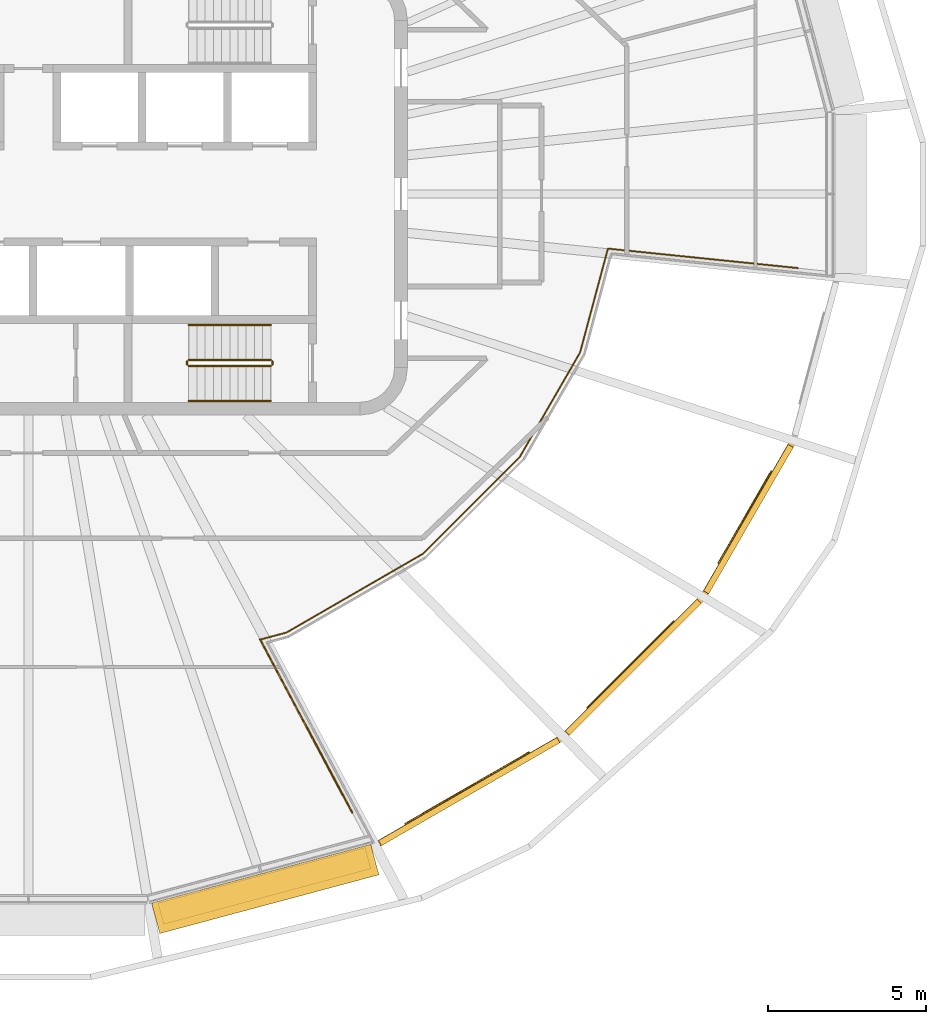
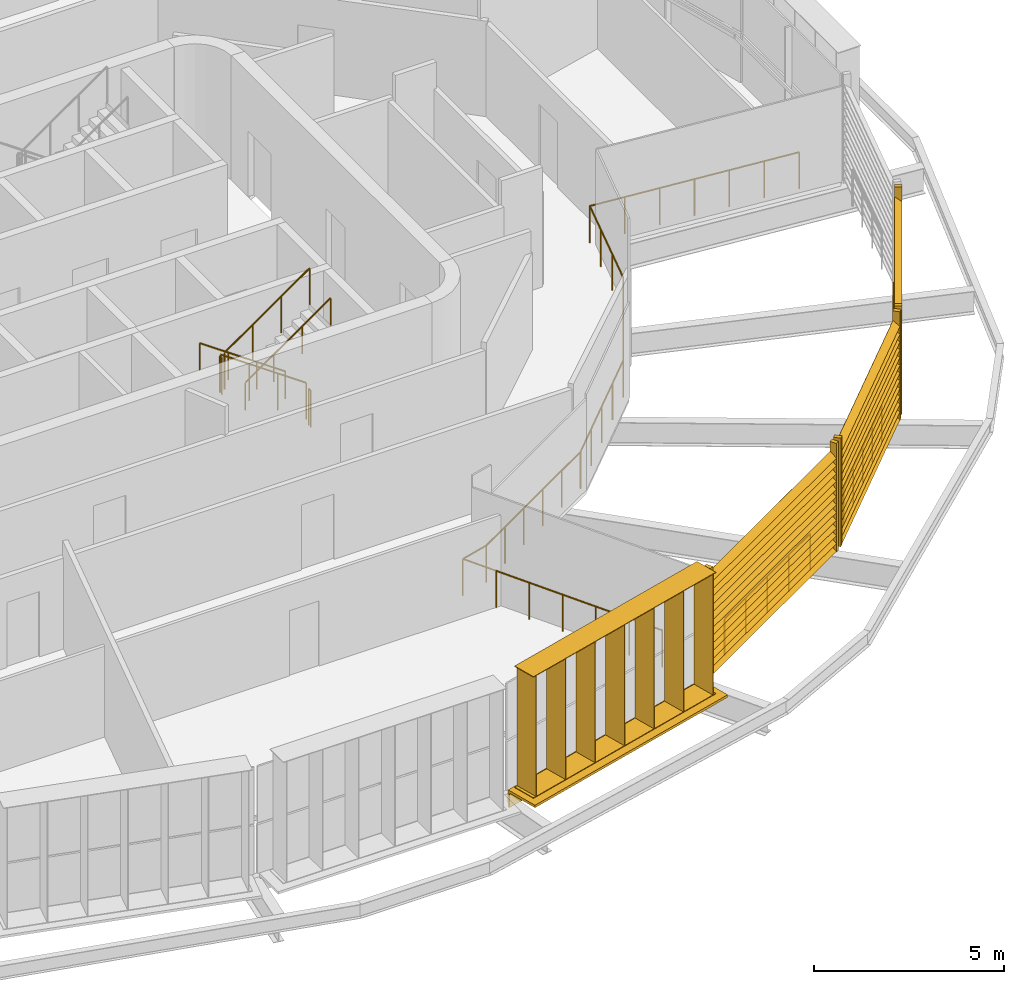
# One storey, part 16 of 18: 11 railings, 5 shading devices.
"""IFC4 building model written with IfcOpenShell, lengths in metres."""

from ifc_helpers import new_model, si_unit, direction, frame, origin, origin_2d, place, context, subcontext, project, spatial, rectangle, circle, extrude, material, type_object, element, save


model = new_model("IFC4")

# Units and contexts
model_context = context("Model", 3, precision=1e-05, world=origin(), true_north=direction((0.0, 1.0)))
body_context = subcontext(model_context, "Body", "Model", "MODEL_VIEW")
ifc_project = project(units=[si_unit("LENGTHUNIT", "METRE"), si_unit("AREAUNIT", "SQUARE_METRE"), si_unit("VOLUMEUNIT", "CUBIC_METRE"), si_unit("PLANEANGLEUNIT", "RADIAN"), si_unit("MASSUNIT", "GRAM", prefix="KILO")], contexts=[model_context])

# Site, building, storey
site_placement = place(None, origin())
site = spatial("IfcSite", under=ifc_project, at=site_placement, CompositionType="ELEMENT")
building_placement = place(site_placement, origin())
building = spatial("IfcBuilding", under=site, at=building_placement, Name="Sahrelin Media Tower", CompositionType="ELEMENT")
storey_placement = place(building_placement, frame((0.0, 0.0, 312.39990234375)))
storey = spatial("IfcBuildingStorey", under=building, at=storey_placement, Name="L69", CompositionType="ELEMENT", Elevation=312.39990234375)

# Shading devices
ifc_material_1 = material(Name="Champagne anodised aluminium 6063-T6", Category="aluminium")
shading_device_type_1 = type_object("IfcShadingDeviceType", Name="Fin cassette", PredefinedType="USERDEFINED", material=ifc_material_1)
placement = place(storey_placement, frame((7.364990234375, -21.506103515625, 0.0), z_axis=(0.0, 0.0, 1.0), x_axis=(-0.965928857556, -0.258807731996, 0.0)))
element("IfcShadingDevice", 1, at=placement, inside=storey, type_object=shading_device_type_1, Name="L69:FIN:L69-19", ObjectType="FIN", PredefinedType="USERDEFINED", context=body_context, shape_type="SweptSolid", body=[
    extrude(rectangle(XDim=6.800048828125, YDim=0.699951171875, at=origin_2d()), frame((0.0, 0.419921875, 0.0)), (0.0, 0.0, 1.0), 0.02001953125),
    extrude(rectangle(XDim=6.800048828125, YDim=0.699951171875, at=origin_2d()), frame((0.0, 0.419921875, 3.89990234375)), (0.0, 0.0, 1.0), 0.02001953125),
    extrude(rectangle(XDim=0.02001953125, YDim=0.699951171875, at=origin_2d()), frame((-3.300048828125, 0.419921875, 0.010009765625), z_axis=(0.0, 0.0, 1.0), x_axis=(1.0, 0.0, 0.0)), (0.0, 0.0, 1.0), 3.89990234375),
    extrude(rectangle(XDim=0.02001953125, YDim=0.699951171875, at=origin_2d()), frame((-2.199951171875, 0.419921875, 0.010009765625), z_axis=(0.0, 0.0, 1.0), x_axis=(1.0, 0.0, 0.0)), (0.0, 0.0, 1.0), 3.89990234375),
    extrude(rectangle(XDim=0.02001953125, YDim=0.699951171875, at=origin_2d()), frame((-1.10009765625, 0.419921875, 0.010009765625), z_axis=(0.0, 0.0, 1.0), x_axis=(1.0, 0.0, 0.0)), (0.0, 0.0, 1.0), 3.89990234375),
    extrude(rectangle(XDim=0.02001953125, YDim=0.699951171875, at=origin_2d()), frame((0.0, 0.419921875, 0.010009765625), z_axis=(0.0, 0.0, 1.0), x_axis=(1.0, 0.0, 0.0)), (0.0, 0.0, 1.0), 3.89990234375),
    extrude(rectangle(XDim=0.02001953125, YDim=0.699951171875, at=origin_2d()), frame((1.10009765625, 0.419921875, 0.010009765625), z_axis=(0.0, 0.0, 1.0), x_axis=(1.0, 0.0, 0.0)), (0.0, 0.0, 1.0), 3.89990234375),
    extrude(rectangle(XDim=0.02001953125, YDim=0.699951171875, at=origin_2d()), frame((2.199951171875, 0.419921875, 0.010009765625), z_axis=(0.0, 0.0, 1.0), x_axis=(1.0, 0.0, 0.0)), (0.0, 0.0, 1.0), 3.89990234375),
    extrude(rectangle(XDim=0.02001953125, YDim=0.699951171875, at=origin_2d()), frame((3.300048828125, 0.419921875, 0.010009765625), z_axis=(0.0, 0.0, 1.0), x_axis=(1.0, 0.0, 0.0)), (0.0, 0.0, 1.0), 3.89990234375),
])
shading_device_type_2 = type_object("IfcShadingDeviceType", Name="Garden screen", PredefinedType="USERDEFINED", material=ifc_material_1)
shading_device_2_placement = place(storey_placement, frame((13.904296875, -18.834716796875, 0.0), z_axis=(0.0, 0.0, 1.0), x_axis=(-0.866019052629, -0.500011000363, 0.0)))
element("IfcShadingDevice", 2, at=shading_device_2_placement, inside=storey, type_object=shading_device_type_2, Name="L69:SCREEN:L69-20", ObjectType="SCREEN", PredefinedType="USERDEFINED", context=body_context, shape_type="SweptSolid", body=[
    extrude(rectangle(XDim=0.1201171875, YDim=0.199951171875, at=origin_2d()), frame((3.3212890625, 0.10009765625, 0.050048828125), z_axis=(0.0, 0.0, 1.0), x_axis=(1.0, 0.0, 0.0)), (0.0, 0.0, 1.0), 3.49853515625),
    extrude(rectangle(XDim=0.1201171875, YDim=0.199951171875, at=origin_2d()), frame((-3.3212890625, 0.10009765625, 0.050048828125), z_axis=(0.0, 0.0, 1.0), x_axis=(1.0, 0.0, 0.0)), (0.0, 0.0, 1.0), 3.49853515625),
    extrude(rectangle(XDim=0.25, YDim=0.02001953125, at=origin_2d()), frame((3.26123046875, 0.10009765625, 0.14990234375), z_axis=(-1.0, 0.0, 0.0), x_axis=(0.0, -0.766044443119, 0.642787609687)), (0.0, 0.0, 1.0), 6.5224609375),
    extrude(rectangle(XDim=0.25, YDim=0.02001953125, at=origin_2d()), frame((3.26123046875, 0.10009765625, 0.39990234375), z_axis=(-1.0, 0.0, 0.0), x_axis=(0.0, -0.766044443119, 0.642787609687)), (0.0, 0.0, 1.0), 6.5224609375),
    extrude(rectangle(XDim=0.25, YDim=0.02001953125, at=origin_2d()), frame((3.26123046875, 0.10009765625, 0.64990234375), z_axis=(-1.0, 0.0, 0.0), x_axis=(0.0, -0.766044443119, 0.642787609687)), (0.0, 0.0, 1.0), 6.5224609375),
    extrude(rectangle(XDim=0.25, YDim=0.02001953125, at=origin_2d()), frame((3.26123046875, 0.10009765625, 0.89990234375), z_axis=(-1.0, 0.0, 0.0), x_axis=(0.0, -0.766044443119, 0.642787609687)), (0.0, 0.0, 1.0), 6.5224609375),
    extrude(rectangle(XDim=0.25, YDim=0.02001953125, at=origin_2d()), frame((3.26123046875, 0.10009765625, 1.14990234375), z_axis=(-1.0, 0.0, 0.0), x_axis=(0.0, -0.766044443119, 0.642787609687)), (0.0, 0.0, 1.0), 6.5224609375),
    extrude(rectangle(XDim=0.25, YDim=0.02001953125, at=origin_2d()), frame((3.26123046875, 0.10009765625, 1.39990234375), z_axis=(-1.0, 0.0, 0.0), x_axis=(0.0, -0.766044443119, 0.642787609687)), (0.0, 0.0, 1.0), 6.5224609375),
    extrude(rectangle(XDim=0.25, YDim=0.02001953125, at=origin_2d()), frame((3.26123046875, 0.10009765625, 1.64990234375), z_axis=(-1.0, 0.0, 0.0), x_axis=(0.0, -0.766044443119, 0.642787609687)), (0.0, 0.0, 1.0), 6.5224609375),
    extrude(rectangle(XDim=0.25, YDim=0.02001953125, at=origin_2d()), frame((3.26123046875, 0.10009765625, 1.89990234375), z_axis=(-1.0, 0.0, 0.0), x_axis=(0.0, -0.766044443119, 0.642787609687)), (0.0, 0.0, 1.0), 6.5224609375),
    extrude(rectangle(XDim=0.25, YDim=0.02001953125, at=origin_2d()), frame((3.26123046875, 0.10009765625, 2.14990234375), z_axis=(-1.0, 0.0, 0.0), x_axis=(0.0, -0.766044443119, 0.642787609687)), (0.0, 0.0, 1.0), 6.5224609375),
    extrude(rectangle(XDim=0.25, YDim=0.02001953125, at=origin_2d()), frame((3.26123046875, 0.10009765625, 2.39990234375), z_axis=(-1.0, 0.0, 0.0), x_axis=(0.0, -0.766044443119, 0.642787609687)), (0.0, 0.0, 1.0), 6.5224609375),
    extrude(rectangle(XDim=0.25, YDim=0.02001953125, at=origin_2d()), frame((3.26123046875, 0.10009765625, 2.64990234375), z_axis=(-1.0, 0.0, 0.0), x_axis=(0.0, -0.766044443119, 0.642787609687)), (0.0, 0.0, 1.0), 6.5224609375),
    extrude(rectangle(XDim=0.25, YDim=0.02001953125, at=origin_2d()), frame((3.26123046875, 0.10009765625, 2.89990234375), z_axis=(-1.0, 0.0, 0.0), x_axis=(0.0, -0.766044443119, 0.642787609687)), (0.0, 0.0, 1.0), 6.5224609375),
    extrude(rectangle(XDim=0.25, YDim=0.02001953125, at=origin_2d()), frame((3.26123046875, 0.10009765625, 3.14990234375), z_axis=(-1.0, 0.0, 0.0), x_axis=(0.0, -0.766044443119, 0.642787609687)), (0.0, 0.0, 1.0), 6.5224609375),
])
shading_device_3_placement = place(storey_placement, frame((19.08056640625, -14.914306640625, 0.0), z_axis=(0.0, 0.0, 1.0), x_axis=(-0.707106781187, -0.707106781187, 0.0)))
element("IfcShadingDevice", 3, at=shading_device_3_placement, inside=storey, type_object=shading_device_type_2, Name="L69:SCREEN:L69-21", ObjectType="SCREEN", PredefinedType="USERDEFINED", context=body_context, shape_type="SweptSolid", body=[
    extrude(rectangle(XDim=0.1201171875, YDim=0.199951171875, at=origin_2d()), frame((3.008056640625, 0.10009765625, 0.050048828125), z_axis=(0.0, 0.0, 1.0), x_axis=(1.0, 0.0, 0.0)), (0.0, 0.0, 1.0), 3.49853515625),
    extrude(rectangle(XDim=0.1201171875, YDim=0.199951171875, at=origin_2d()), frame((-3.008056640625, 0.10009765625, 0.050048828125), z_axis=(0.0, 0.0, 1.0), x_axis=(1.0, 0.0, 0.0)), (0.0, 0.0, 1.0), 3.49853515625),
    extrude(rectangle(XDim=0.25, YDim=0.02001953125, at=origin_2d()), frame((2.947998046875, 0.10009765625, 0.14990234375), z_axis=(-1.0, 0.0, 0.0), x_axis=(0.0, -0.766044443119, 0.642787609687)), (0.0, 0.0, 1.0), 5.89599609375),
    extrude(rectangle(XDim=0.25, YDim=0.02001953125, at=origin_2d()), frame((2.947998046875, 0.10009765625, 0.39990234375), z_axis=(-1.0, 0.0, 0.0), x_axis=(0.0, -0.766044443119, 0.642787609687)), (0.0, 0.0, 1.0), 5.89599609375),
    extrude(rectangle(XDim=0.25, YDim=0.02001953125, at=origin_2d()), frame((2.947998046875, 0.10009765625, 0.64990234375), z_axis=(-1.0, 0.0, 0.0), x_axis=(0.0, -0.766044443119, 0.642787609687)), (0.0, 0.0, 1.0), 5.89599609375),
    extrude(rectangle(XDim=0.25, YDim=0.02001953125, at=origin_2d()), frame((2.947998046875, 0.10009765625, 0.89990234375), z_axis=(-1.0, 0.0, 0.0), x_axis=(0.0, -0.766044443119, 0.642787609687)), (0.0, 0.0, 1.0), 5.89599609375),
    extrude(rectangle(XDim=0.25, YDim=0.02001953125, at=origin_2d()), frame((2.947998046875, 0.10009765625, 1.14990234375), z_axis=(-1.0, 0.0, 0.0), x_axis=(0.0, -0.766044443119, 0.642787609687)), (0.0, 0.0, 1.0), 5.89599609375),
    extrude(rectangle(XDim=0.25, YDim=0.02001953125, at=origin_2d()), frame((2.947998046875, 0.10009765625, 1.39990234375), z_axis=(-1.0, 0.0, 0.0), x_axis=(0.0, -0.766044443119, 0.642787609687)), (0.0, 0.0, 1.0), 5.89599609375),
    extrude(rectangle(XDim=0.25, YDim=0.02001953125, at=origin_2d()), frame((2.947998046875, 0.10009765625, 1.64990234375), z_axis=(-1.0, 0.0, 0.0), x_axis=(0.0, -0.766044443119, 0.642787609687)), (0.0, 0.0, 1.0), 5.89599609375),
    extrude(rectangle(XDim=0.25, YDim=0.02001953125, at=origin_2d()), frame((2.947998046875, 0.10009765625, 1.89990234375), z_axis=(-1.0, 0.0, 0.0), x_axis=(0.0, -0.766044443119, 0.642787609687)), (0.0, 0.0, 1.0), 5.89599609375),
    extrude(rectangle(XDim=0.25, YDim=0.02001953125, at=origin_2d()), frame((2.947998046875, 0.10009765625, 2.14990234375), z_axis=(-1.0, 0.0, 0.0), x_axis=(0.0, -0.766044443119, 0.642787609687)), (0.0, 0.0, 1.0), 5.89599609375),
    extrude(rectangle(XDim=0.25, YDim=0.02001953125, at=origin_2d()), frame((2.947998046875, 0.10009765625, 2.39990234375), z_axis=(-1.0, 0.0, 0.0), x_axis=(0.0, -0.766044443119, 0.642787609687)), (0.0, 0.0, 1.0), 5.89599609375),
    extrude(rectangle(XDim=0.25, YDim=0.02001953125, at=origin_2d()), frame((2.947998046875, 0.10009765625, 2.64990234375), z_axis=(-1.0, 0.0, 0.0), x_axis=(0.0, -0.766044443119, 0.642787609687)), (0.0, 0.0, 1.0), 5.89599609375),
    extrude(rectangle(XDim=0.25, YDim=0.02001953125, at=origin_2d()), frame((2.947998046875, 0.10009765625, 2.89990234375), z_axis=(-1.0, 0.0, 0.0), x_axis=(0.0, -0.766044443119, 0.642787609687)), (0.0, 0.0, 1.0), 5.89599609375),
    extrude(rectangle(XDim=0.25, YDim=0.02001953125, at=origin_2d()), frame((2.947998046875, 0.10009765625, 3.14990234375), z_axis=(-1.0, 0.0, 0.0), x_axis=(0.0, -0.766044443119, 0.642787609687)), (0.0, 0.0, 1.0), 5.89599609375),
])
shading_device_4_placement = place(storey_placement, frame((22.709228515625, -10.2431640625, 0.0), z_axis=(0.0, 0.0, 1.0), x_axis=(-0.500011000363, -0.866019052629, 0.0)))
element("IfcShadingDevice", 4, at=shading_device_4_placement, inside=storey, type_object=shading_device_type_2, Name="L69:SCREEN:L69-22", ObjectType="SCREEN", PredefinedType="USERDEFINED", context=body_context, shape_type="SweptSolid", body=[
    extrude(rectangle(XDim=0.1201171875, YDim=0.199951171875, at=origin_2d()), frame((2.73779296875, 0.10009765625, 0.050048828125), z_axis=(0.0, 0.0, 1.0), x_axis=(1.0, 0.0, 0.0)), (0.0, 0.0, 1.0), 3.49853515625),
    extrude(rectangle(XDim=0.1201171875, YDim=0.199951171875, at=origin_2d()), frame((-2.73779296875, 0.10009765625, 0.050048828125), z_axis=(0.0, 0.0, 1.0), x_axis=(1.0, 0.0, 0.0)), (0.0, 0.0, 1.0), 3.49853515625),
    extrude(rectangle(XDim=0.25, YDim=0.02001953125, at=origin_2d()), frame((2.677734375, 0.10009765625, 0.14990234375), z_axis=(-1.0, 0.0, 0.0), x_axis=(0.0, -0.766044443119, 0.642787609687)), (0.0, 0.0, 1.0), 5.35546875),
    extrude(rectangle(XDim=0.25, YDim=0.02001953125, at=origin_2d()), frame((2.677734375, 0.10009765625, 0.39990234375), z_axis=(-1.0, 0.0, 0.0), x_axis=(0.0, -0.766044443119, 0.642787609687)), (0.0, 0.0, 1.0), 5.35546875),
    extrude(rectangle(XDim=0.25, YDim=0.02001953125, at=origin_2d()), frame((2.677734375, 0.10009765625, 0.64990234375), z_axis=(-1.0, 0.0, 0.0), x_axis=(0.0, -0.766044443119, 0.642787609687)), (0.0, 0.0, 1.0), 5.35546875),
    extrude(rectangle(XDim=0.25, YDim=0.02001953125, at=origin_2d()), frame((2.677734375, 0.10009765625, 0.89990234375), z_axis=(-1.0, 0.0, 0.0), x_axis=(0.0, -0.766044443119, 0.642787609687)), (0.0, 0.0, 1.0), 5.35546875),
    extrude(rectangle(XDim=0.25, YDim=0.02001953125, at=origin_2d()), frame((2.677734375, 0.10009765625, 1.14990234375), z_axis=(-1.0, 0.0, 0.0), x_axis=(0.0, -0.766044443119, 0.642787609687)), (0.0, 0.0, 1.0), 5.35546875),
    extrude(rectangle(XDim=0.25, YDim=0.02001953125, at=origin_2d()), frame((2.677734375, 0.10009765625, 1.39990234375), z_axis=(-1.0, 0.0, 0.0), x_axis=(0.0, -0.766044443119, 0.642787609687)), (0.0, 0.0, 1.0), 5.35546875),
    extrude(rectangle(XDim=0.25, YDim=0.02001953125, at=origin_2d()), frame((2.677734375, 0.10009765625, 1.64990234375), z_axis=(-1.0, 0.0, 0.0), x_axis=(0.0, -0.766044443119, 0.642787609687)), (0.0, 0.0, 1.0), 5.35546875),
    extrude(rectangle(XDim=0.25, YDim=0.02001953125, at=origin_2d()), frame((2.677734375, 0.10009765625, 1.89990234375), z_axis=(-1.0, 0.0, 0.0), x_axis=(0.0, -0.766044443119, 0.642787609687)), (0.0, 0.0, 1.0), 5.35546875),
    extrude(rectangle(XDim=0.25, YDim=0.02001953125, at=origin_2d()), frame((2.677734375, 0.10009765625, 2.14990234375), z_axis=(-1.0, 0.0, 0.0), x_axis=(0.0, -0.766044443119, 0.642787609687)), (0.0, 0.0, 1.0), 5.35546875),
    extrude(rectangle(XDim=0.25, YDim=0.02001953125, at=origin_2d()), frame((2.677734375, 0.10009765625, 2.39990234375), z_axis=(-1.0, 0.0, 0.0), x_axis=(0.0, -0.766044443119, 0.642787609687)), (0.0, 0.0, 1.0), 5.35546875),
    extrude(rectangle(XDim=0.25, YDim=0.02001953125, at=origin_2d()), frame((2.677734375, 0.10009765625, 2.64990234375), z_axis=(-1.0, 0.0, 0.0), x_axis=(0.0, -0.766044443119, 0.642787609687)), (0.0, 0.0, 1.0), 5.35546875),
    extrude(rectangle(XDim=0.25, YDim=0.02001953125, at=origin_2d()), frame((2.677734375, 0.10009765625, 2.89990234375), z_axis=(-1.0, 0.0, 0.0), x_axis=(0.0, -0.766044443119, 0.642787609687)), (0.0, 0.0, 1.0), 5.35546875),
    extrude(rectangle(XDim=0.25, YDim=0.02001953125, at=origin_2d()), frame((2.677734375, 0.10009765625, 3.14990234375), z_axis=(-1.0, 0.0, 0.0), x_axis=(0.0, -0.766044443119, 0.642787609687)), (0.0, 0.0, 1.0), 5.35546875),
])

# Railings
ifc_material_2 = material(Name="Stainless steel 316", Category="steel")
railing_type_1 = type_object("IfcRailingType", Name="Sky garden guard", PredefinedType="GUARDRAIL", material=ifc_material_2)
railing_1_placement = place(storey_placement, frame((7.33740234375, -14.111328125, 0.0)))
element("IfcRailing", 5, at=railing_1_placement, inside=storey, type_object=railing_type_1, Name="Sky garden void guard G6-1", PredefinedType="GUARDRAIL", context=body_context, shape_type="SweptSolid", body=[
    extrude(circle(Radius=0.02392578125, at=origin_2d()), frame((0.0, 0.0, 1.17578125), z_axis=(0.965939235103, 0.258768997543, 0.0), x_axis=(-0.258768997543, 0.965939235103, 0.0)), (0.0, 0.0, 1.0), 0.865234375),
    extrude(circle(Radius=0.02392578125, at=origin_2d()), frame((0.835693359375, 0.223876953125, 1.17578125), z_axis=(0.866032094379, 0.499988411372, 0.0), x_axis=(-0.499988411372, 0.866032094379, 0.0)), (0.0, 0.0, 1.0), 4.9794921875),
    extrude(circle(Radius=0.02392578125, at=origin_2d()), frame((5.148193359375, 2.713623046875, 1.17578125), z_axis=(0.707106781187, 0.707106781187, 0.0), x_axis=(-0.707106781187, 0.707106781187, 0.0)), (0.0, 0.0, 1.0), 4.353515625),
    extrude(circle(Radius=0.02392578125, at=origin_2d()), frame((8.2265625, 5.7919921875, 1.17578125), z_axis=(0.499940464041, 0.866059774158, 0.0), x_axis=(-0.866059774158, 0.499940464041, 0.0)), (0.0, 0.0, 1.0), 3.81298828125),
    extrude(circle(Radius=0.02392578125, at=origin_2d()), frame((10.1328125, 9.09423828125, 1.17578125), z_axis=(0.258885440634, 0.965908033214, 0.0), x_axis=(-0.965908033214, 0.258885440634, 0.0)), (0.0, 0.0, 1.0), 3.404296875),
    extrude(circle(Radius=0.02392578125, at=origin_2d()), frame((11.01416015625, 12.382568359375, 1.17578125), z_axis=(0.99479665345, -0.10188041168, 0.0), x_axis=(0.10188041168, 0.99479665345, 0.0)), (0.0, 0.0, 1.0), 6.05078125),
    extrude(circle(Radius=0.02099609375, at=origin_2d()), origin(), (0.0, 0.0, 1.0), 1.15185546875),
    extrude(circle(Radius=0.02099609375, at=origin_2d()), frame((0.835693359375, 0.223876953125, 0.0)), (0.0, 0.0, 1.0), 1.15185546875),
    extrude(circle(Radius=0.02099609375, at=origin_2d()), frame((1.6982421875, 0.721923828125, 0.0)), (0.0, 0.0, 1.0), 1.15185546875),
    extrude(circle(Radius=0.02099609375, at=origin_2d()), frame((2.560791015625, 1.2197265625, 0.0)), (0.0, 0.0, 1.0), 1.15185546875),
    extrude(circle(Radius=0.02099609375, at=origin_2d()), frame((3.423095703125, 1.7177734375, 0.0)), (0.0, 0.0, 1.0), 1.15185546875),
    extrude(circle(Radius=0.02099609375, at=origin_2d()), frame((4.28564453125, 2.215576171875, 0.0)), (0.0, 0.0, 1.0), 1.15185546875),
    extrude(circle(Radius=0.02099609375, at=origin_2d()), frame((5.148193359375, 2.713623046875, 0.0)), (0.0, 0.0, 1.0), 1.15185546875),
    extrude(circle(Radius=0.02099609375, at=origin_2d()), frame((5.917724609375, 3.483154296875, 0.0)), (0.0, 0.0, 1.0), 1.15185546875),
    extrude(circle(Radius=0.02099609375, at=origin_2d()), frame((6.6875, 4.2529296875, 0.0)), (0.0, 0.0, 1.0), 1.15185546875),
    extrude(circle(Radius=0.02099609375, at=origin_2d()), frame((7.45703125, 5.0224609375, 0.0)), (0.0, 0.0, 1.0), 1.15185546875),
    extrude(circle(Radius=0.02099609375, at=origin_2d()), frame((8.2265625, 5.7919921875, 0.0)), (0.0, 0.0, 1.0), 1.15185546875),
    extrude(circle(Radius=0.02099609375, at=origin_2d()), frame((8.703125, 6.61767578125, 0.0)), (0.0, 0.0, 1.0), 1.15185546875),
    extrude(circle(Radius=0.02099609375, at=origin_2d()), frame((9.1796875, 7.443115234375, 0.0)), (0.0, 0.0, 1.0), 1.15185546875),
    extrude(circle(Radius=0.02099609375, at=origin_2d()), frame((9.65625, 8.2685546875, 0.0)), (0.0, 0.0, 1.0), 1.15185546875),
    extrude(circle(Radius=0.02099609375, at=origin_2d()), frame((10.1328125, 9.09423828125, 0.0)), (0.0, 0.0, 1.0), 1.15185546875),
    extrude(circle(Radius=0.02099609375, at=origin_2d()), frame((10.426513671875, 10.1904296875, 0.0)), (0.0, 0.0, 1.0), 1.15185546875),
    extrude(circle(Radius=0.02099609375, at=origin_2d()), frame((10.720458984375, 11.286376953125, 0.0)), (0.0, 0.0, 1.0), 1.15185546875),
    extrude(circle(Radius=0.02099609375, at=origin_2d()), frame((11.01416015625, 12.382568359375, 0.0)), (0.0, 0.0, 1.0), 1.15185546875),
    extrude(circle(Radius=0.02099609375, at=origin_2d()), frame((12.017333984375, 12.27978515625, 0.0)), (0.0, 0.0, 1.0), 1.15185546875),
    extrude(circle(Radius=0.02099609375, at=origin_2d()), frame((13.0205078125, 12.177001953125, 0.0)), (0.0, 0.0, 1.0), 1.15185546875),
    extrude(circle(Radius=0.02099609375, at=origin_2d()), frame((14.02392578125, 12.07421875, 0.0)), (0.0, 0.0, 1.0), 1.15185546875),
    extrude(circle(Radius=0.02099609375, at=origin_2d()), frame((15.027099609375, 11.9716796875, 0.0)), (0.0, 0.0, 1.0), 1.15185546875),
    extrude(circle(Radius=0.02099609375, at=origin_2d()), frame((16.0302734375, 11.868896484375, 0.0)), (0.0, 0.0, 1.0), 1.15185546875),
    extrude(circle(Radius=0.02099609375, at=origin_2d()), frame((17.033447265625, 11.76611328125, 0.0)), (0.0, 0.0, 1.0), 1.15185546875),
])
railing_2_placement = place(storey_placement, frame((23.52587890625, -8.783935546875, 0.0)))
element("IfcRailing", 6, at=railing_2_placement, inside=storey, type_object=railing_type_1, Name="Sky garden void guard G6-3", PredefinedType="GUARDRAIL", context=body_context, shape_type="SweptSolid", body=[
    extrude(circle(Radius=0.02392578125, at=origin_2d()), frame((0.0, 0.0, 1.17578125), z_axis=(-0.500055108953, -0.865993584278, 0.0), x_axis=(0.865993584278, -0.500055108953, 0.0)), (0.0, 0.0, 1.0), 3.345703125),
    extrude(circle(Radius=0.02099609375, at=origin_2d()), origin(), (0.0, 0.0, 1.0), 1.15185546875),
    extrude(circle(Radius=0.02099609375, at=origin_2d()), frame((-0.5576171875, -0.9658203125, 0.0)), (0.0, 0.0, 1.0), 1.15185546875),
    extrude(circle(Radius=0.02099609375, at=origin_2d()), frame((-1.115478515625, -1.931640625, 0.0)), (0.0, 0.0, 1.0), 1.15185546875),
    extrude(circle(Radius=0.02099609375, at=origin_2d()), frame((-1.673095703125, -2.8974609375, 0.0)), (0.0, 0.0, 1.0), 1.15185546875),
])
railing_3_placement = place(storey_placement, frame((20.4365234375, -13.5263671875, 0.0)))
element("IfcRailing", 7, at=railing_3_placement, inside=storey, type_object=railing_type_1, Name="Sky garden void guard G6-4", PredefinedType="GUARDRAIL", context=body_context, shape_type="SweptSolid", body=[
    extrude(circle(Radius=0.02392578125, at=origin_2d()), frame((0.0, 0.0, 1.17578125), z_axis=(-0.707075321361, -0.707138239613, 0.0), x_axis=(0.707138239613, -0.707075321361, 0.0)), (0.0, 0.0, 1.0), 3.88037109375),
    extrude(circle(Radius=0.02099609375, at=origin_2d()), origin(), (0.0, 0.0, 1.0), 1.15185546875),
    extrude(circle(Radius=0.02099609375, at=origin_2d()), frame((-0.68603515625, -0.68603515625, 0.0)), (0.0, 0.0, 1.0), 1.15185546875),
    extrude(circle(Radius=0.02099609375, at=origin_2d()), frame((-1.371826171875, -1.3720703125, 0.0)), (0.0, 0.0, 1.0), 1.15185546875),
    extrude(circle(Radius=0.02099609375, at=origin_2d()), frame((-2.0576171875, -2.057861328125, 0.0)), (0.0, 0.0, 1.0), 1.15185546875),
    extrude(circle(Radius=0.02099609375, at=origin_2d()), frame((-2.74365234375, -2.743896484375, 0.0)), (0.0, 0.0, 1.0), 1.15185546875),
])
railing_4_placement = place(storey_placement, frame((15.847900390625, -17.6865234375, 0.0)))
element("IfcRailing", 8, at=railing_4_placement, inside=storey, type_object=railing_type_1, Name="Sky garden void guard G6-5", PredefinedType="GUARDRAIL", context=body_context, shape_type="SweptSolid", body=[
    extrude(circle(Radius=0.02392578125, at=origin_2d()), frame((0.0, 0.0, 1.17578125), z_axis=(-0.866030630277, -0.49999094734, 0.0), x_axis=(0.49999094734, -0.866030630277, 0.0)), (0.0, 0.0, 1.0), 4.5126953125),
    extrude(circle(Radius=0.02099609375, at=origin_2d()), origin(), (0.0, 0.0, 1.0), 1.15185546875),
    extrude(circle(Radius=0.02099609375, at=origin_2d()), frame((-0.97705078125, -0.56396484375, 0.0)), (0.0, 0.0, 1.0), 1.15185546875),
    extrude(circle(Radius=0.02099609375, at=origin_2d()), frame((-1.9541015625, -1.128173828125, 0.0)), (0.0, 0.0, 1.0), 1.15185546875),
    extrude(circle(Radius=0.02099609375, at=origin_2d()), frame((-2.93115234375, -1.6923828125, 0.0)), (0.0, 0.0, 1.0), 1.15185546875),
    extrude(circle(Radius=0.02099609375, at=origin_2d()), frame((-3.908203125, -2.25634765625, 0.0)), (0.0, 0.0, 1.0), 1.15185546875),
])
railing_5_placement = place(storey_placement, frame((10.251953125, -19.58984375, 0.0)))
element("IfcRailing", 9, at=railing_5_placement, inside=storey, type_object=railing_type_1, Name="Sky garden void guard G6-6", PredefinedType="GUARDRAIL", context=body_context, shape_type="SweptSolid", body=[
    extrude(circle(Radius=0.02392578125, at=origin_2d()), frame((0.0, 0.0, 1.17578125), z_axis=(-0.469669084174, 0.882842540531, 0.0), x_axis=(-0.882842540531, -0.469669084174, 0.0)), (0.0, 0.0, 1.0), 6.20556640625),
    extrude(circle(Radius=0.02099609375, at=origin_2d()), origin(), (0.0, 0.0, 1.0), 1.15185546875),
    extrude(circle(Radius=0.02099609375, at=origin_2d()), frame((-0.48583984375, 0.9130859375, 0.0)), (0.0, 0.0, 1.0), 1.15185546875),
    extrude(circle(Radius=0.02099609375, at=origin_2d()), frame((-0.971435546875, 1.826171875, 0.0)), (0.0, 0.0, 1.0), 1.15185546875),
    extrude(circle(Radius=0.02099609375, at=origin_2d()), frame((-1.457275390625, 2.7392578125, 0.0)), (0.0, 0.0, 1.0), 1.15185546875),
    extrude(circle(Radius=0.02099609375, at=origin_2d()), frame((-1.943115234375, 3.65234375, 0.0)), (0.0, 0.0, 1.0), 1.15185546875),
    extrude(circle(Radius=0.02099609375, at=origin_2d()), frame((-2.4287109375, 4.5654296875, 0.0)), (0.0, 0.0, 1.0), 1.15185546875),
    extrude(circle(Radius=0.02099609375, at=origin_2d()), frame((-2.91455078125, 5.478515625, 0.0)), (0.0, 0.0, 1.0), 1.15185546875),
])
ifc_material_3 = material(Name="Steel S355", Category="steel")
railing_type_2 = type_object("IfcRailingType", Name="Stair guard 1200", PredefinedType="GUARDRAIL", material=ifc_material_3)
railing_6_placement = place(storey_placement, frame((7.675048828125, -5.25, 0.181884765625)))
element("IfcRailing", 10, at=railing_6_placement, inside=storey, type_object=railing_type_2, Name="L69 ST2 stair guard 1", PredefinedType="GUARDRAIL", context=body_context, shape_type="SweptSolid", body=[
    extrude(circle(Radius=0.02392578125, at=origin_2d()), frame((0.0, 0.0, 1.17578125), z_axis=(-0.819521025635, 0.0, 0.573049115296), x_axis=(0.0, -1.0, 0.0)), (0.0, 0.0, 1.0), 3.172607421875),
    extrude(circle(Radius=0.02099609375, at=origin_2d()), origin(), (0.0, 0.0, 1.0), 1.15185546875),
    extrude(circle(Radius=0.02099609375, at=origin_2d()), frame((-0.86669921875, 0.0, 0.60595703125)), (0.0, 0.0, 1.0), 1.15185546875),
    extrude(circle(Radius=0.02099609375, at=origin_2d()), frame((-1.7333984375, 0.0, 1.212158203125)), (0.0, 0.0, 1.0), 1.15185546875),
    extrude(circle(Radius=0.02099609375, at=origin_2d()), frame((-2.60009765625, 0.0, 1.818115234375)), (0.0, 0.0, 1.0), 1.15185546875),
])
railing_7_placement = place(storey_placement, frame((5.02490234375, -5.300048828125, 2.0)))
element("IfcRailing", 11, at=railing_7_placement, inside=storey, type_object=railing_type_2, Name="L69 ST2 stair guard 2", PredefinedType="GUARDRAIL", context=body_context, shape_type="SweptSolid", body=[
    extrude(circle(Radius=0.02392578125, at=origin_2d()), frame((0.0, 0.0, 1.17578125), z_axis=(0.0, -1.0, 0.0), x_axis=(1.0, 0.0, 0.0)), (0.0, 0.0, 1.0), 0.099853515625),
    extrude(circle(Radius=0.02099609375, at=origin_2d()), origin(), (0.0, 0.0, 1.0), 1.15185546875),
    extrude(circle(Radius=0.02099609375, at=origin_2d()), frame((0.0, -0.099853515625, 0.0)), (0.0, 0.0, 1.0), 1.15185546875),
])
railing_8_placement = place(storey_placement, frame((5.074951171875, -5.449951171875, 2.181884765625)))
element("IfcRailing", 12, at=railing_8_placement, inside=storey, type_object=railing_type_2, Name="L69 ST2 stair guard 3", PredefinedType="GUARDRAIL", context=body_context, shape_type="SweptSolid", body=[
    extrude(circle(Radius=0.02392578125, at=origin_2d()), frame((0.0, 0.0, 1.17578125), z_axis=(0.819521025635, 0.0, 0.573049115296), x_axis=(0.0, 1.0, 0.0)), (0.0, 0.0, 1.0), 3.172607421875),
    extrude(circle(Radius=0.02099609375, at=origin_2d()), origin(), (0.0, 0.0, 1.0), 1.15185546875),
    extrude(circle(Radius=0.02099609375, at=origin_2d()), frame((0.86669921875, 0.0, 0.60595703125)), (0.0, 0.0, 1.0), 1.15185546875),
    extrude(circle(Radius=0.02099609375, at=origin_2d()), frame((1.7333984375, 0.0, 1.212158203125)), (0.0, 0.0, 1.0), 1.15185546875),
    extrude(circle(Radius=0.02099609375, at=origin_2d()), frame((2.60009765625, 0.0, 1.818115234375)), (0.0, 0.0, 1.0), 1.15185546875),
])
railing_9_placement = place(storey_placement, frame((7.72509765625, -5.300048828125, 0.0)))
element("IfcRailing", 13, at=railing_9_placement, inside=storey, type_object=railing_type_2, Name="L69 ST2 stair guard 4", PredefinedType="GUARDRAIL", context=body_context, shape_type="SweptSolid", body=[
    extrude(circle(Radius=0.02392578125, at=origin_2d()), frame((0.0, 0.0, 1.17578125), z_axis=(0.0, -1.0, 0.0), x_axis=(1.0, 0.0, 0.0)), (0.0, 0.0, 1.0), 0.099853515625),
    extrude(circle(Radius=0.02099609375, at=origin_2d()), origin(), (0.0, 0.0, 1.0), 1.15185546875),
    extrude(circle(Radius=0.02099609375, at=origin_2d()), frame((0.0, -0.099853515625, 0.0)), (0.0, 0.0, 1.0), 1.15185546875),
])
railing_type_3 = type_object("IfcRailingType", Name="Stair handrail 900", PredefinedType="HANDRAIL", material=ifc_material_3)
railing_10_placement = place(storey_placement, frame((7.675048828125, -4.14990234375, 0.181884765625)))
element("IfcRailing", 14, at=railing_10_placement, inside=storey, type_object=railing_type_3, Name="L69 ST2 stair handrail 1", PredefinedType="HANDRAIL", context=body_context, shape_type="SweptSolid", body=[
    extrude(circle(Radius=0.02392578125, at=origin_2d()), frame((0.0, 0.0, 0.8759765625), z_axis=(-0.819521025635, 0.0, 0.573049115296), x_axis=(0.0, -1.0, 0.0)), (0.0, 0.0, 1.0), 3.172607421875),
    extrude(circle(Radius=0.02099609375, at=origin_2d()), origin(), (0.0, 0.0, 1.0), 0.851806640625),
    extrude(circle(Radius=0.02099609375, at=origin_2d()), frame((-0.86669921875, 0.0, 0.60595703125)), (0.0, 0.0, 1.0), 0.851806640625),
    extrude(circle(Radius=0.02099609375, at=origin_2d()), frame((-1.7333984375, 0.0, 1.212158203125)), (0.0, 0.0, 1.0), 0.851806640625),
    extrude(circle(Radius=0.02099609375, at=origin_2d()), frame((-2.60009765625, 0.0, 1.818115234375)), (0.0, 0.0, 1.0), 0.851806640625),
])
railing_11_placement = place(storey_placement, frame((5.074951171875, -6.550048828125, 2.181884765625)))
element("IfcRailing", 15, at=railing_11_placement, inside=storey, type_object=railing_type_3, Name="L69 ST2 stair handrail 2", PredefinedType="HANDRAIL", context=body_context, shape_type="SweptSolid", body=[
    extrude(circle(Radius=0.02392578125, at=origin_2d()), frame((0.0, 0.0, 0.8759765625), z_axis=(0.819521025635, 0.0, 0.573049115296), x_axis=(0.0, 1.0, 0.0)), (0.0, 0.0, 1.0), 3.172607421875),
    extrude(circle(Radius=0.02099609375, at=origin_2d()), origin(), (0.0, 0.0, 1.0), 0.851806640625),
    extrude(circle(Radius=0.02099609375, at=origin_2d()), frame((0.86669921875, 0.0, 0.60595703125)), (0.0, 0.0, 1.0), 0.851806640625),
    extrude(circle(Radius=0.02099609375, at=origin_2d()), frame((1.7333984375, 0.0, 1.212158203125)), (0.0, 0.0, 1.0), 0.851806640625),
    extrude(circle(Radius=0.02099609375, at=origin_2d()), frame((2.60009765625, 0.0, 1.818115234375)), (0.0, 0.0, 1.0), 0.851806640625),
])

# Shading device
shading_device_type_3 = type_object("IfcShadingDeviceType", Name="Sunshade band", PredefinedType="USERDEFINED", material=ifc_material_1)
element("IfcShadingDevice", 16, at=placement, inside=storey, type_object=shading_device_type_3, Name="L69:SUN:L69-19", ObjectType="SUNSHADE", PredefinedType="USERDEFINED", context=body_context, shape_type="SweptSolid", body=[
    extrude(rectangle(XDim=7.18701171875, YDim=0.050048828125, at=origin_2d()), frame((0.0, 0.044921875, -0.55126953125)), (0.0, 0.0, 1.0), 0.471435546875),
    extrude(rectangle(XDim=7.18701171875, YDim=1.0, at=origin_2d()), frame((0.0, 0.52001953125, -0.080078125)), (0.0, 0.0, 1.0), 0.080078125),
    extrude(rectangle(XDim=0.10009765625, YDim=0.074951171875, at=origin_2d()), frame((-3.493408203125, -0.017578125, -0.47021484375)), (0.0, 0.0, 1.0), 0.300048828125),
    extrude(rectangle(XDim=0.10009765625, YDim=0.074951171875, at=origin_2d()), frame((-1.746826171875, -0.017578125, -0.47021484375)), (0.0, 0.0, 1.0), 0.300048828125),
    extrude(rectangle(XDim=0.10009765625, YDim=0.074951171875, at=origin_2d()), frame((0.0, -0.017578125, -0.47021484375)), (0.0, 0.0, 1.0), 0.300048828125),
    extrude(rectangle(XDim=0.10009765625, YDim=0.074951171875, at=origin_2d()), frame((1.746826171875, -0.017578125, -0.47021484375)), (0.0, 0.0, 1.0), 0.300048828125),
    extrude(rectangle(XDim=0.10009765625, YDim=0.074951171875, at=origin_2d()), frame((3.493408203125, -0.017578125, -0.47021484375)), (0.0, 0.0, 1.0), 0.300048828125),
])

save(model, "model.ifc")
